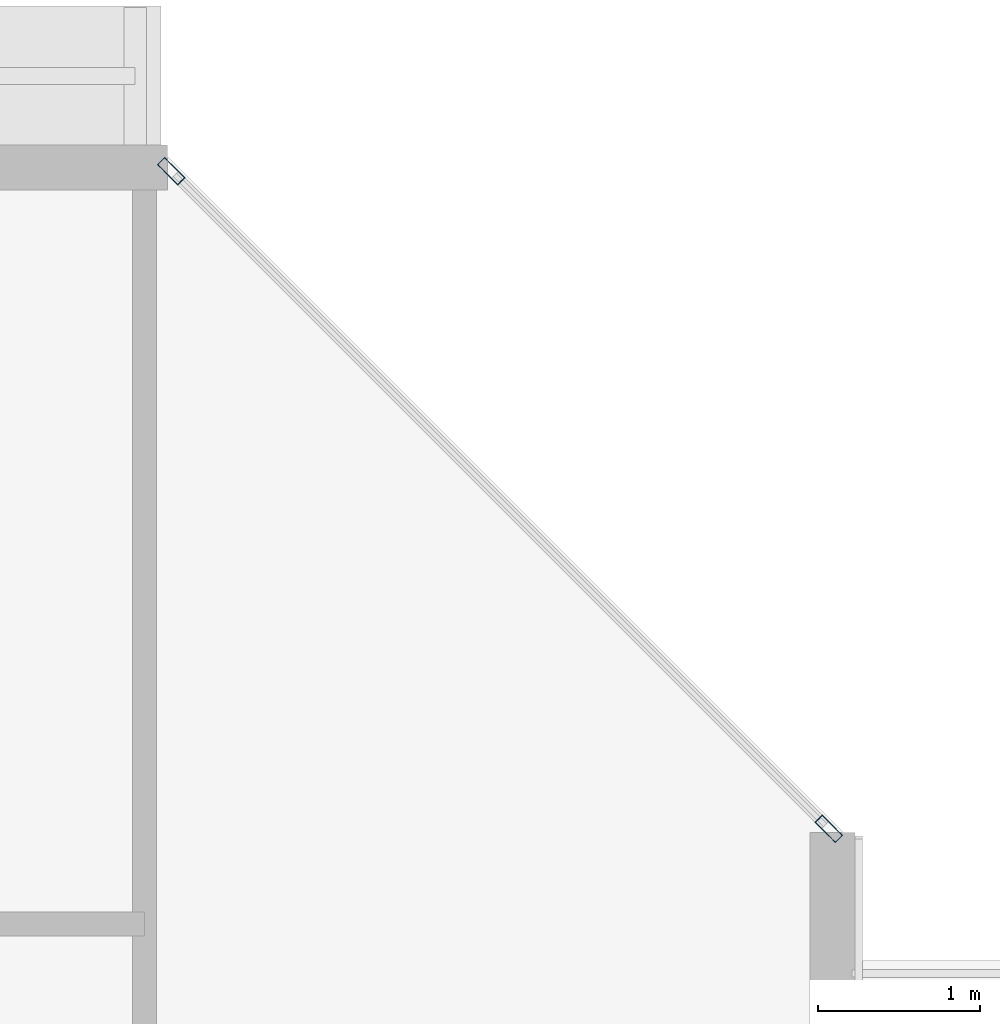
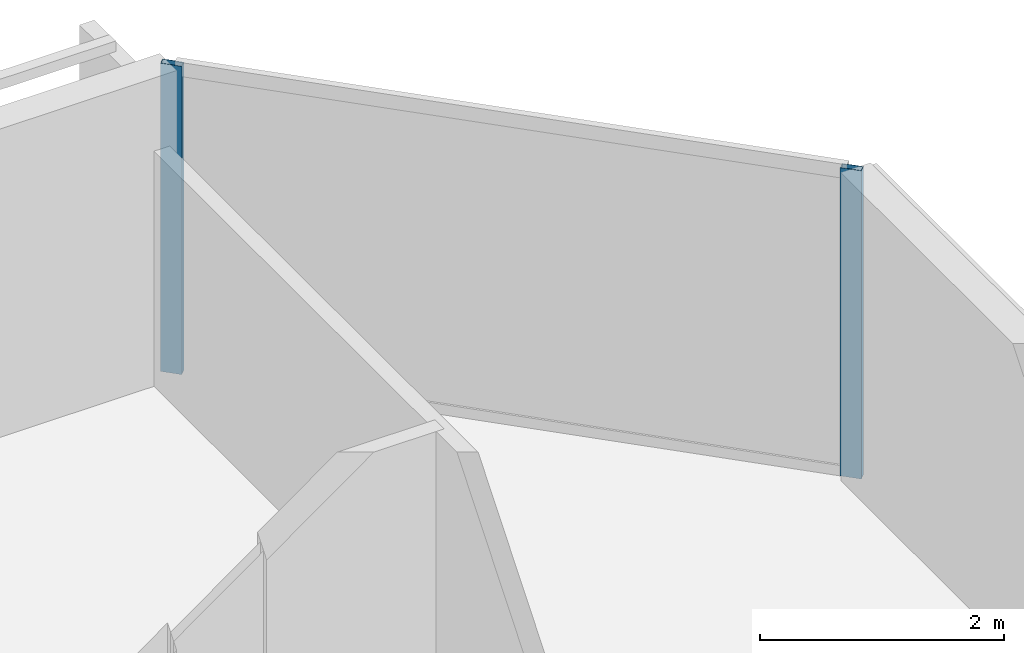
# One storey, part 16 of 33: 2 members, 1 element without a shape of its own.
"""IFC4 building model written with IfcOpenShell, lengths in metres."""

from ifc_helpers import new_model, si_unit, direction, frame, origin, origin_2d, place, context, subcontext, project, spatial, hollow_rectangle, extrude, material, layer, layer_set, material_profile, profile_set, type_object, element, aggregate, save


model = new_model("IFC4")

# Units and contexts
model_context = context("Model", 3, precision=1e-05, world=origin(), true_north=direction((0.0, 1.0)))
body_context = subcontext(model_context, "Body", "Model", "MODEL_VIEW")
ifc_project = project(units=[si_unit("LENGTHUNIT", "METRE"), si_unit("AREAUNIT", "SQUARE_METRE"), si_unit("VOLUMEUNIT", "CUBIC_METRE"), si_unit("PLANEANGLEUNIT", "RADIAN"), si_unit("MASSUNIT", "GRAM", prefix="KILO")], contexts=[model_context])

# Site, building, storey
site_placement = place(None, origin())
site = spatial("IfcSite", under=ifc_project, at=site_placement, CompositionType="ELEMENT")
building_placement = place(site_placement, origin())
building = spatial("IfcBuilding", under=site, at=building_placement, Name="Tanjung Sevakor Pilgrim Tower", CompositionType="ELEMENT")
storey_placement = place(building_placement, frame((0.0, 0.0, 52.139892578125)))
storey = spatial("IfcBuildingStorey", under=building, at=storey_placement, Name="L14", CompositionType="ELEMENT", Elevation=52.139892578125)

# Curtain wall, members
ifc_material_1 = material(Name="Aluminium 6063-T6 and Low-E Glass", Category="aluminium")
ifc_layer = layer(ifc_material_1, 0.179931640625)
ifc_layer_set = layer_set([ifc_layer], Name="CW-SYS-CHAM")
curtain_wall_type = type_object("IfcCurtainWallType", Name="CW-SYS-CHAM", PredefinedType="NOTDEFINED", material=ifc_layer_set)
curtain_wall_placement = place(storey_placement, origin())
curtain_wall = element("IfcCurtainWall", 1, at=curtain_wall_placement, inside=storey, type_object=curtain_wall_type, Name="L14 Curtain Wall CW-CHM-L14-MAIN-7", PredefinedType="NOTDEFINED")
ifc_material_2 = material(Name="Aluminium 6063-T6", Category="aluminium")
ifc_material_profile = material_profile(ifc_material_2, hollow_rectangle(XDim=0.06494140625, YDim=0.179931640625, WallThickness=0.00390625, at=origin_2d()))
ifc_profile_set = profile_set([ifc_material_profile], Name="Aluminium 6063-T6")
member_type = type_object("IfcMemberType", Name="TYPE-CWM-1", PredefinedType="MULLION", material=ifc_profile_set)
member_1_placement = place(storey_placement, frame((100.636962890625, 55.364990234375, 0.0), z_axis=(0.0, 0.0, 1.0), x_axis=(-0.707106781187, -0.707106781187, 0.0)))
member_1 = element("IfcMember", 2, at=member_1_placement, type_object=member_type, Name="CW-CHM mullion 1", PredefinedType="MULLION", context=body_context, shape_type="SweptSolid", body=[
    extrude(hollow_rectangle(XDim=0.06494140625, YDim=0.179931640625, WallThickness=0.00390625, at=origin_2d()), origin(), (0.0, 0.0, 1.0), 3.080078125),
])
member_2_placement = place(storey_placement, frame((96.56494140625, 59.43701171875, 0.0), z_axis=(0.0, 0.0, 1.0), x_axis=(-0.707106781187, -0.707106781187, 0.0)))
member_2 = element("IfcMember", 3, at=member_2_placement, type_object=member_type, Name="CW-CHM mullion 2", PredefinedType="MULLION", context=body_context, shape_type="SweptSolid", body=[
    extrude(hollow_rectangle(XDim=0.06494140625, YDim=0.179931640625, WallThickness=0.00390625, at=origin_2d()), origin(), (0.0, 0.0, 1.0), 3.080078125),
])
aggregate(curtain_wall, [member_1, member_2])

save(model, "model.ifc")
